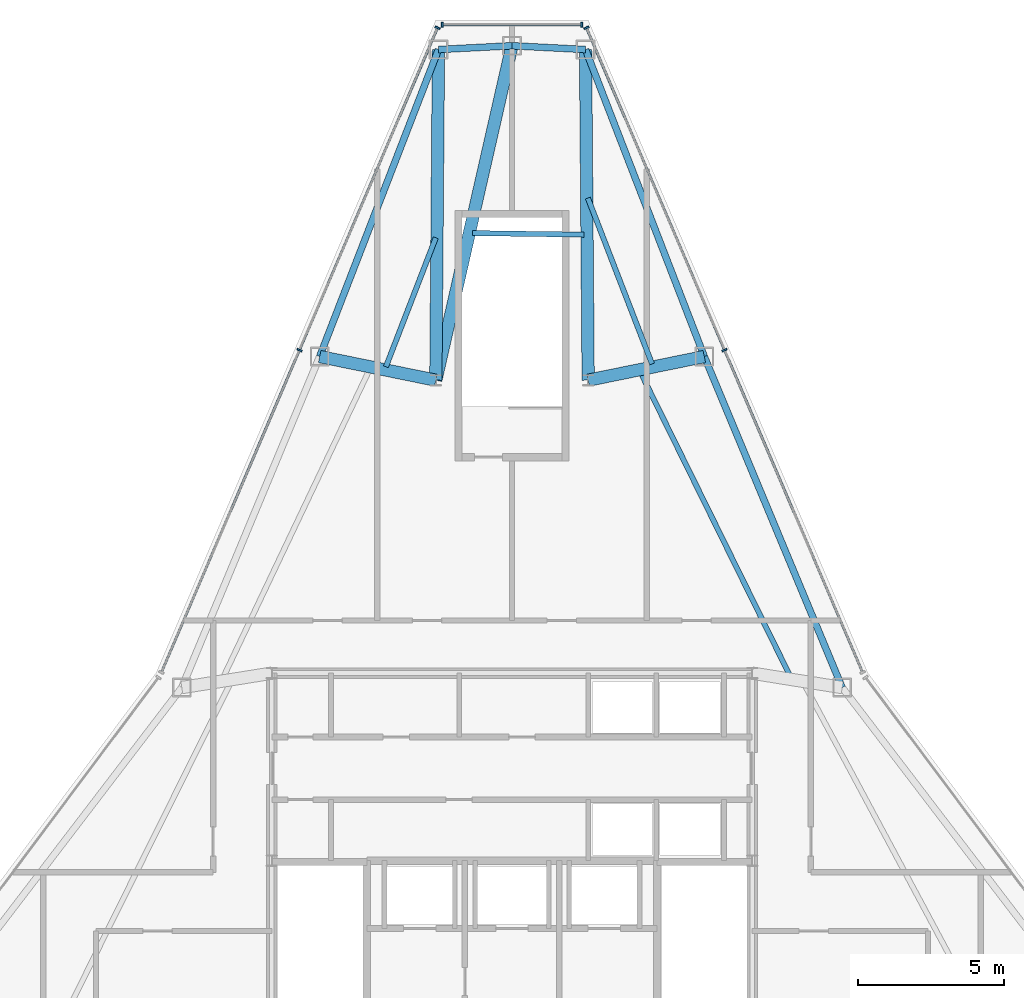
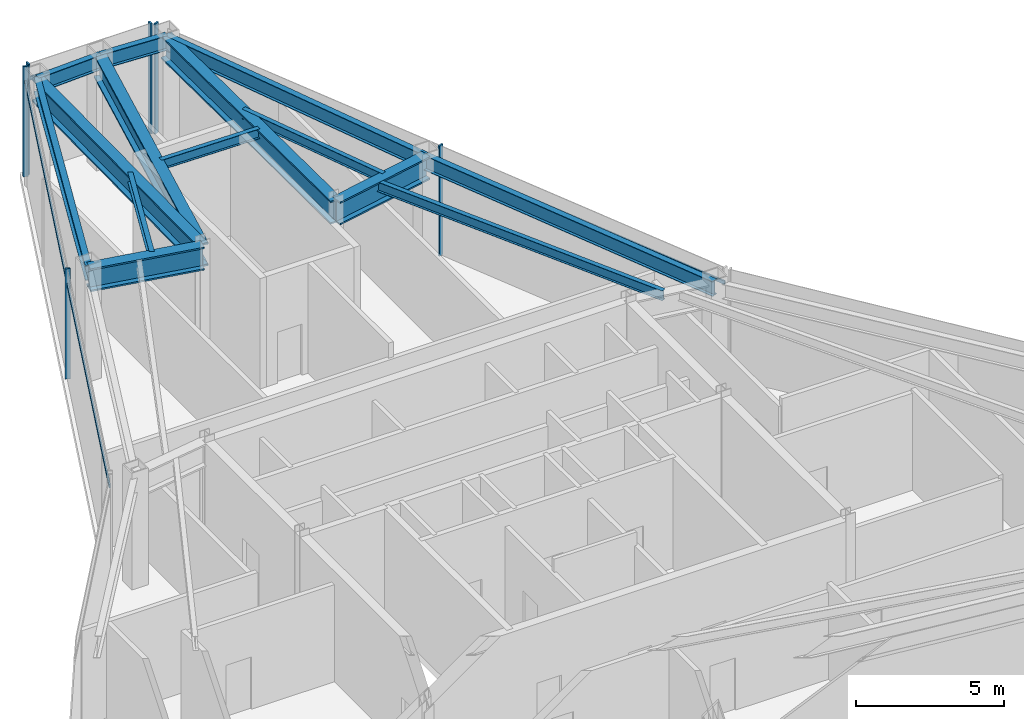
# One storey, part 7 of 11: 14 beams, 9 members, 3 elements without a shape of their own.
"""IFC4 building model written with IfcOpenShell, lengths in metres."""

from ifc_helpers import new_model, si_unit, direction, frame, origin, origin_2d, place, context, subcontext, project, spatial, rectangle, i_section, extrude, source, transform, mapped, material, layer, layer_set, material_profile, profile_set, type_object, type_shapes, element, aggregate, save


model = new_model("IFC4")

# Units and contexts
model_context = context("Model", 3, precision=1e-05, world=origin(), true_north=direction((0.0, 1.0)))
body_context = subcontext(model_context, "Body", "Model", "MODEL_VIEW")
ifc_project = project(units=[si_unit("LENGTHUNIT", "METRE"), si_unit("AREAUNIT", "SQUARE_METRE"), si_unit("VOLUMEUNIT", "CUBIC_METRE"), si_unit("PLANEANGLEUNIT", "RADIAN"), si_unit("MASSUNIT", "GRAM", prefix="KILO")], contexts=[model_context])

# Site, building, storey
site_placement = place(None, origin())
site = spatial("IfcSite", under=ifc_project, at=site_placement, CompositionType="ELEMENT")
building_placement = place(site_placement, origin())
building = spatial("IfcBuilding", under=site, at=building_placement, Name="Varakhsha Concourse Tower", CompositionType="ELEMENT")
storey_placement = place(building_placement, frame((0.0, 0.0, 290.0)))
storey = spatial("IfcBuildingStorey", under=building, at=storey_placement, Name="L82", CompositionType="ELEMENT", Elevation=290.0)

# Beams
ifc_material_1 = material(Name="Structural Steel ASTM A992 Grade 50", Category="steel")
ifc_material_profile_1 = material_profile(ifc_material_1, i_section(OverallWidth=0.177978515625, OverallDepth=0.406982421875, WebThickness=0.008056640625, FlangeThickness=0.012939453125, at=origin_2d()), Name="W16X40")
ifc_profile_set_1 = profile_set([ifc_material_profile_1], Name="Structural Steel ASTM A992 Grade 50")
beam_type_1 = type_object("IfcBeamType", Name="BM-JST-W16X40", PredefinedType="JOIST", material=ifc_profile_set_1)
beam_1_placement = place(storey_placement, frame((42.45068359375, 46.168701171875, 4.33642578125), z_axis=(-0.99990265595, 0.013952728207, 0.0), x_axis=(-0.013952728207, -0.99990265595, 0.0)))
element("IfcBeam", 1, at=beam_1_placement, inside=storey, type_object=beam_type_1, Name="BM-TJST-L82-01", PredefinedType="JOIST", context=body_context, shape_type="SweptSolid", body=[
    extrude(i_section(OverallWidth=0.177978515625, OverallDepth=0.406982421875, WebThickness=0.008056640625, FlangeThickness=0.012939453125, at=origin_2d()), origin(), (0.0, 0.0, 1.0), 3.797119140625),
])
beam_2_placement = place(storey_placement, frame((37.399658203125, 46.064453125, 4.33642578125), z_axis=(-0.360799831455, -0.932643276726, 0.0), x_axis=(0.932643276726, -0.360799831455, 0.0)))
element("IfcBeam", 2, at=beam_2_placement, inside=storey, type_object=beam_type_1, Name="BM-TJST-L82-03", PredefinedType="JOIST", context=body_context, shape_type="SweptSolid", body=[
    extrude(i_section(OverallWidth=0.177978515625, OverallDepth=0.406982421875, WebThickness=0.008056640625, FlangeThickness=0.012939453125, at=origin_2d()), origin(), (0.0, 0.0, 1.0), 4.724365234375),
])
beam_3_placement = place(storey_placement, frame((49.502685546875, 31.08203125, 4.33642578125), z_axis=(-0.441801136736, 0.897113011598, 0.0), x_axis=(-0.897113011598, -0.441801136736, 0.0)))
element("IfcBeam", 3, at=beam_3_placement, inside=storey, type_object=beam_type_1, Name="BM-TJST-L82-17", PredefinedType="JOIST", context=body_context, shape_type="SweptSolid", body=[
    extrude(i_section(OverallWidth=0.177978515625, OverallDepth=0.406982421875, WebThickness=0.008056640625, FlangeThickness=0.012939453125, at=origin_2d()), origin(), (0.0, 0.0, 1.0), 11.56494140625),
])
beam_4_placement = place(storey_placement, frame((44.78076171875, 41.75537109375, 4.33642578125), z_axis=(-0.360810259172, 0.932639242621, 0.0), x_axis=(-0.932639242621, -0.360810259172, 0.0)))
element("IfcBeam", 4, at=beam_4_placement, inside=storey, type_object=beam_type_1, Name="BM-TJST-L82-18", PredefinedType="JOIST", context=body_context, shape_type="SweptSolid", body=[
    extrude(i_section(OverallWidth=0.177978515625, OverallDepth=0.406982421875, WebThickness=0.008056640625, FlangeThickness=0.012939453125, at=origin_2d()), origin(), (0.0, 0.0, 1.0), 6.072998046875),
])
ifc_material_profile_2 = material_profile(ifc_material_1, i_section(OverallWidth=0.423095703125, OverallDepth=0.947998046875, WebThickness=0.0380859375, FlangeThickness=0.06396484375, at=origin_2d()), Name="W36X302")
ifc_profile_set_2 = profile_set([ifc_material_profile_2], Name="Structural Steel ASTM A992 Grade 50")
beam_type_2 = type_object("IfcBeamType", Name="BM-OUTR-W36X302", PredefinedType="USERDEFINED", material=ifc_profile_set_2)
beam_5_placement = place(storey_placement, frame((42.60009765625, 41.199951171875, 4.06591796875), z_axis=(-0.00793677287, 0.999968503322, 0.0), x_axis=(-0.999968503322, -0.00793677287, 0.0)))
element("IfcBeam", 5, at=beam_5_placement, inside=storey, type_object=beam_type_2, Name="L82 Radial Floor Girder 01", ObjectType="GIRDER", PredefinedType="USERDEFINED", context=body_context, shape_type="SweptSolid", body=[
    extrude(i_section(OverallWidth=0.423095703125, OverallDepth=0.947998046875, WebThickness=0.0380859375, FlangeThickness=0.06396484375, at=origin_2d()), origin(), (0.0, 0.0, 1.0), 11.2890625),
])
beam_6_placement = place(storey_placement, frame((37.39990234375, 41.199951171875, 4.06591796875), z_axis=(0.222058164184, 0.975033420822, 0.0), x_axis=(-0.975033420822, 0.222058164184, 0.0)))
element("IfcBeam", 6, at=beam_6_placement, inside=storey, type_object=beam_type_2, Name="L82 Radial Floor Girder 02", ObjectType="GIRDER", PredefinedType="USERDEFINED", context=body_context, shape_type="SweptSolid", body=[
    extrude(i_section(OverallWidth=0.423095703125, OverallDepth=0.947998046875, WebThickness=0.0380859375, FlangeThickness=0.06396484375, at=origin_2d()), origin(), (0.0, 0.0, 1.0), 11.708984375),
])
beam_7_placement = place(storey_placement, frame((37.39990234375, 41.199951171875, 4.06591796875), z_axis=(0.00793677287, 0.999968503322, 0.0), x_axis=(-0.999968503322, 0.00793677287, 0.0)))
element("IfcBeam", 7, at=beam_7_placement, inside=storey, type_object=beam_type_2, Name="L82 Radial Floor Girder 03", ObjectType="GIRDER", PredefinedType="USERDEFINED", context=body_context, shape_type="SweptSolid", body=[
    extrude(i_section(OverallWidth=0.423095703125, OverallDepth=0.947998046875, WebThickness=0.0380859375, FlangeThickness=0.06396484375, at=origin_2d()), origin(), (0.0, 0.0, 1.0), 11.2890625),
])
for number, where, z_axis, x_axis, name in (
    (8, (37.39990234375, 41.199951171875, 4.06591796875), (-0.979831068851, 0.199827616997, 0.0), (-0.199827616997, -0.979831068851, 0.0), "L82 Radial Floor Girder 04"),
    (9, (42.60009765625, 41.199951171875, 4.06591796875), (0.979831068851, 0.199827616997, 0.0), (-0.199827616997, 0.979831068851, 0.0), "L82 Radial Floor Girder 18"),
):
    element("IfcBeam", number, at=place(storey_placement, frame(where, z_axis=z_axis, x_axis=x_axis)), inside=storey, type_object=beam_type_2, Name=name, ObjectType="GIRDER", PredefinedType="USERDEFINED", context=body_context, shape_type="SweptSolid", body=[
        extrude(i_section(OverallWidth=0.423095703125, OverallDepth=0.947998046875, WebThickness=0.0380859375, FlangeThickness=0.06396484375, at=origin_2d()), origin(), (0.0, 0.0, 1.0), 4.04638671875),
    ])
ifc_material_profile_3 = material_profile(ifc_material_1, i_section(OverallWidth=0.22900390625, OverallDepth=0.612060546875, WebThickness=0.011962890625, FlangeThickness=0.02001953125, at=origin_2d()), Name="W24X84")
ifc_profile_set_3 = profile_set([ifc_material_profile_3], Name="Structural Steel ASTM A992 Grade 50")
beam_type_3 = type_object("IfcBeamType", Name="BM-SPAN-W24X84", PredefinedType="SPANDREL", material=ifc_profile_set_3)
for number, where, z_axis, x_axis, name in (
    (10, (42.510498046875, 52.48876953125, 4.23388671875), (-0.998704169761, 0.050891858889, 0.0), (-0.050891858889, -0.998704169761, 0.0), "BM-SPAN-L82-01"),
    (11, (40.0, 52.61669921875, 4.23388671875), (-0.998704169761, -0.050891858889, 0.0), (0.050891858889, -0.998704169761, 0.0), "BM-SPAN-L82-02"),
):
    element("IfcBeam", number, at=place(storey_placement, frame(where, z_axis=z_axis, x_axis=x_axis)), inside=storey, type_object=beam_type_3, Name=name, PredefinedType="SPANDREL", context=body_context, shape_type="SweptSolid", body=[
        extrude(i_section(OverallWidth=0.22900390625, OverallDepth=0.612060546875, WebThickness=0.011962890625, FlangeThickness=0.02001953125, at=origin_2d()), origin(), (0.0, 0.0, 1.0), 2.513671875),
    ])
beam_8_placement = place(storey_placement, frame((37.489501953125, 52.48876953125, 4.23388671875), z_axis=(-0.360806974722, -0.93264051327, 0.0), x_axis=(0.93264051327, -0.360806974722, 0.0)))
element("IfcBeam", 12, at=beam_8_placement, inside=storey, type_object=beam_type_3, Name="BM-SPAN-L82-03", PredefinedType="SPANDREL", context=body_context, shape_type="SweptSolid", body=[
    extrude(i_section(OverallWidth=0.22900390625, OverallDepth=0.612060546875, WebThickness=0.011962890625, FlangeThickness=0.02001953125, at=origin_2d()), origin(), (0.0, 0.0, 1.0), 11.237060546875),
])
beam_9_placement = place(storey_placement, frame((51.271240234375, 30.70751953125, 4.23388671875), z_axis=(-0.38444403214, 0.923148301278, 0.0), x_axis=(-0.923148301278, -0.38444403214, 0.0)))
element("IfcBeam", 13, at=beam_9_placement, inside=storey, type_object=beam_type_3, Name="BM-SPAN-L82-17", PredefinedType="SPANDREL", context=body_context, shape_type="SweptSolid", body=[
    extrude(i_section(OverallWidth=0.22900390625, OverallDepth=0.612060546875, WebThickness=0.011962890625, FlangeThickness=0.02001953125, at=origin_2d()), origin(), (0.0, 0.0, 1.0), 12.241943359375),
])
beam_10_placement = place(storey_placement, frame((46.56494140625, 42.008544921875, 4.23388671875), z_axis=(-0.360806974722, 0.93264051327, 0.0), x_axis=(-0.93264051327, -0.360806974722, 0.0)))
element("IfcBeam", 14, at=beam_10_placement, inside=storey, type_object=beam_type_3, Name="BM-SPAN-L82-18", PredefinedType="SPANDREL", context=body_context, shape_type="SweptSolid", body=[
    extrude(i_section(OverallWidth=0.22900390625, OverallDepth=0.612060546875, WebThickness=0.011962890625, FlangeThickness=0.02001953125, at=origin_2d()), origin(), (0.0, 0.0, 1.0), 11.237060546875),
])

# Curtain wall, members
ifc_material_2 = material(Name="Anodised Bronze Architectural Aluminium AA 6063-T6", Category="aluminium")
ifc_layer = layer(ifc_material_2, 0.260009765625, Name="CW-SYS-06")
ifc_layer_set = layer_set([ifc_layer], Name="Anodised Bronze Architectural Aluminium AA 6063-T6")
curtain_wall_type = type_object("IfcCurtainWallType", Name="CW-SYS-06", PredefinedType="NOTDEFINED", material=ifc_layer_set)
curtain_wall_1_placement = place(storey_placement, origin())
curtain_wall_1 = element("IfcCurtainWall", 15, at=curtain_wall_1_placement, inside=storey, type_object=curtain_wall_type, Name="L82 Chamfer Curtain Wall F1", PredefinedType="NOTDEFINED")
ifc_material_profile_4 = material_profile(ifc_material_2, rectangle(XDim=0.06005859375, YDim=0.139892578125, at=origin_2d()), Name="CWT-140X60")
ifc_profile_set_4 = profile_set([ifc_material_profile_4], Name="Anodised Bronze Architectural Aluminium AA 6063-T6")
member_type_1 = type_object("IfcMemberType", Name="CWT-140X60", PredefinedType="USERDEFINED", material=ifc_profile_set_4)
shared_shape_1 = source(origin(), body_context, "Body", "SweptSolid", [
    extrude(rectangle(XDim=0.06005859375, YDim=0.139892578125, at=origin_2d()), origin(), (0.0, 0.0, 1.0), 4.759765625),
])
member_1_placement = place(storey_placement, frame((37.6201171875, 53.336669921875, 3.889892578125), z_axis=(1.0, 0.0, 0.0), x_axis=(0.0, 1.0, 0.0)))
member_1 = element("IfcMember", 16, at=member_1_placement, type_object=member_type_1, Name="CW-L82-F1 Transom 01", ObjectType="TRANSOM", PredefinedType="USERDEFINED", context=body_context, shape_type="MappedRepresentation", body=[
    mapped(shared_shape_1, transform((0.0, 0.0, 0.0), scale=1.0)),
])
ifc_material_profile_5 = material_profile(ifc_material_2, rectangle(XDim=0.06494140625, YDim=0.179931640625, at=origin_2d()), Name="CWM-180X65")
ifc_profile_set_5 = profile_set([ifc_material_profile_5], Name="Anodised Bronze Architectural Aluminium AA 6063-T6")
member_type_2 = type_object("IfcMemberType", Name="CWM-180X65", PredefinedType="MULLION", material=ifc_profile_set_5)
shared_shape_2 = source(origin(), body_context, "Body", "SweptSolid", [
    extrude(rectangle(XDim=0.06494140625, YDim=0.179931640625, at=origin_2d()), origin(), (0.0, 0.0, 1.0), 4.5400390625),
])
type_shapes(member_type_2, [shared_shape_2])
member_2_placement = place(storey_placement, frame((37.6201171875, 53.336669921875, 0.0), z_axis=(0.0, 0.0, 1.0), x_axis=(1.0, 0.0, 0.0)))
member_2 = element("IfcMember", 17, at=member_2_placement, type_object=member_type_2, Name="CW-L82-F1 Mullion 00", PredefinedType="MULLION", context=body_context, shape_type="MappedRepresentation", body=[
    mapped(shared_shape_2, transform((0.0, 0.0, 0.0), scale=1.0)),
])
member_3_placement = place(storey_placement, frame((42.3798828125, 53.336669921875, 0.0), z_axis=(0.0, 0.0, 1.0), x_axis=(1.0, 0.0, 0.0)))
member_3 = element("IfcMember", 18, at=member_3_placement, type_object=member_type_2, Name="CW-L82-F1 Mullion 01", PredefinedType="MULLION", context=body_context, shape_type="MappedRepresentation", body=[
    mapped(shared_shape_2, transform((0.0, 0.0, 0.0), scale=1.0)),
])
aggregate(curtain_wall_1, [member_2, member_3, member_1])

curtain_wall_2_placement = place(storey_placement, origin())
curtain_wall_2 = element("IfcCurtainWall", 19, at=curtain_wall_2_placement, inside=storey, type_object=curtain_wall_type, Name="L82 Crystal Curtain Wall F2", PredefinedType="NOTDEFINED")
member_4_placement = place(storey_placement, frame((32.74560546875, 42.227783203125, 0.0), z_axis=(0.0, 0.0, 1.0), x_axis=(0.393839238731, 0.919179337255, 0.0)))
member_4 = element("IfcMember", 20, at=member_4_placement, type_object=member_type_2, Name="CW-L82-F2 Mullion 01", PredefinedType="MULLION", context=body_context, shape_type="MappedRepresentation", body=[
    mapped(shared_shape_2, transform((0.0, 0.0, 0.0), scale=1.0)),
])
member_5_placement = place(storey_placement, frame((37.46044921875, 53.2314453125, 0.0), z_axis=(0.0, 0.0, 1.0), x_axis=(0.393839238731, 0.919179337255, 0.0)))
member_5 = element("IfcMember", 21, at=member_5_placement, type_object=member_type_2, Name="CW-L82-F2 Mullion 02", PredefinedType="MULLION", context=body_context, shape_type="MappedRepresentation", body=[
    mapped(shared_shape_2, transform((0.0, 0.0, 0.0), scale=1.0)),
])

curtain_wall_3_placement = place(storey_placement, origin())
curtain_wall_3 = element("IfcCurtainWall", 22, at=curtain_wall_3_placement, inside=storey, type_object=curtain_wall_type, Name="L82 Crystal Curtain Wall F9", PredefinedType="NOTDEFINED")
member_6_placement = place(storey_placement, frame((42.53955078125, 53.2314453125, 0.0), z_axis=(0.0, 0.0, 1.0), x_axis=(0.393839238731, -0.919179337255, 0.0)))
member_6 = element("IfcMember", 23, at=member_6_placement, type_object=member_type_2, Name="CW-L82-F9 Mullion 00", PredefinedType="MULLION", context=body_context, shape_type="MappedRepresentation", body=[
    mapped(shared_shape_2, transform((0.0, 0.0, 0.0), scale=1.0)),
])
member_7_placement = place(storey_placement, frame((47.25439453125, 42.227783203125, 0.0), z_axis=(0.0, 0.0, 1.0), x_axis=(0.393839238731, -0.919179337255, 0.0)))
member_7 = element("IfcMember", 24, at=member_7_placement, type_object=member_type_2, Name="CW-L82-F9 Mullion 01", PredefinedType="MULLION", context=body_context, shape_type="MappedRepresentation", body=[
    mapped(shared_shape_2, transform((0.0, 0.0, 0.0), scale=1.0)),
])

# Member
shared_shape_3 = source(origin(), body_context, "Body", "SweptSolid", [
    extrude(rectangle(XDim=0.06005859375, YDim=0.139892578125, at=origin_2d()), origin(), (0.0, 0.0, 1.0), 23.9423828125),
])
type_shapes(member_type_1, [shared_shape_1, shared_shape_3])
member_8_placement = place(storey_placement, frame((28.031005859375, 31.22412109375, 3.889892578125), z_axis=(0.393839303264, 0.919179309604, 0.0), x_axis=(-0.919179309604, 0.393839303264, 0.0)))
member_8 = element("IfcMember", 25, at=member_8_placement, type_object=member_type_1, Name="CW-L82-F2 Transom 01", ObjectType="TRANSOM", PredefinedType="USERDEFINED", context=body_context, shape_type="MappedRepresentation", body=[
    mapped(shared_shape_3, transform((0.0, 0.0, 0.0), scale=1.0)),
])

aggregate(curtain_wall_2, [member_4, member_5, member_8])

member_9_placement = place(storey_placement, frame((42.53955078125, 53.2314453125, 3.889892578125), z_axis=(0.393839303264, -0.919179309604, 0.0), x_axis=(0.919179309604, 0.393839303264, 0.0)))
member_9 = element("IfcMember", 26, at=member_9_placement, type_object=member_type_1, Name="CW-L82-F9 Transom 01", ObjectType="TRANSOM", PredefinedType="USERDEFINED", context=body_context, shape_type="MappedRepresentation", body=[
    mapped(shared_shape_3, transform((0.0, 0.0, 0.0), scale=1.0)),
])

aggregate(curtain_wall_3, [member_6, member_7, member_9])

save(model, "model.ifc")
